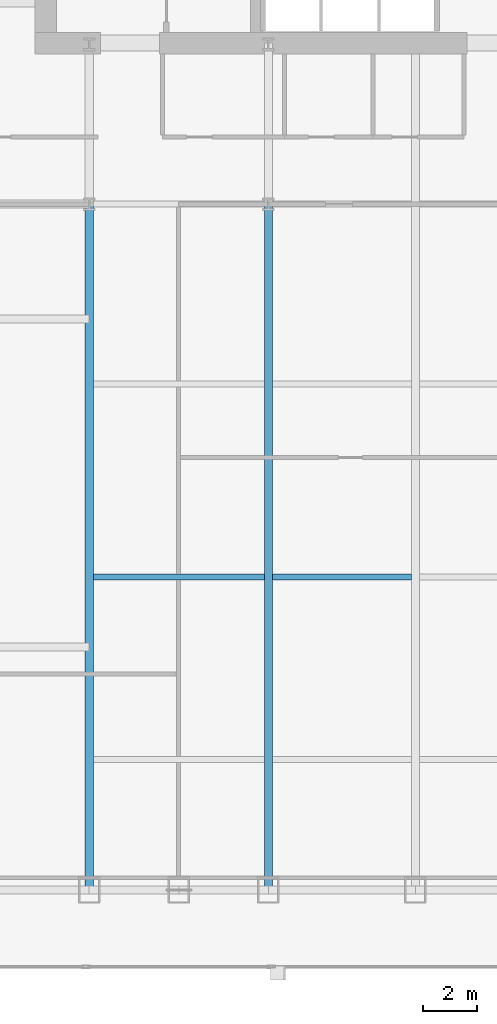
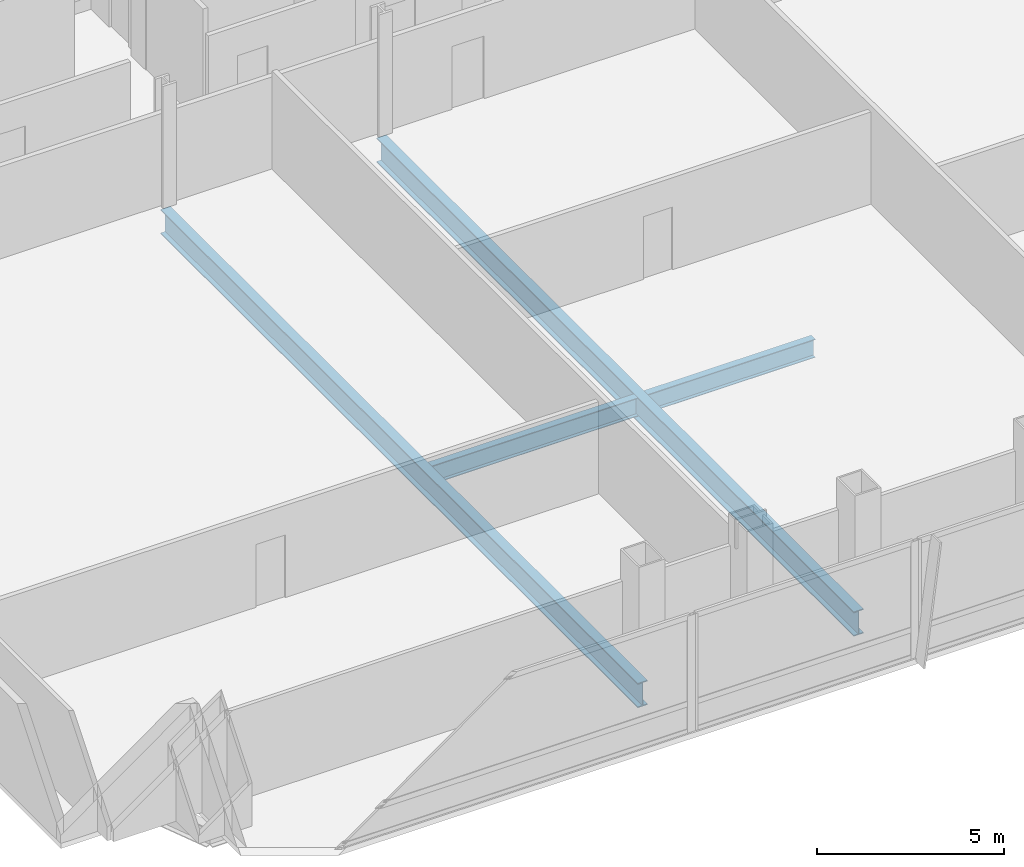
# One storey, part 9 of 36: 4 beams.
"""IFC4 building model written with IfcOpenShell, lengths in metres."""

from ifc_helpers import new_model, si_unit, direction, frame, origin, origin_2d, place, context, subcontext, project, spatial, i_section, extrude, material, material_profile, profile_set, type_object, element, save


model = new_model("IFC4")

# Units and contexts
model_context = context("Model", 3, precision=1e-05, world=origin(), true_north=direction((0.0, 1.0)))
body_context = subcontext(model_context, "Body", "Model", "MODEL_VIEW")
ifc_project = project(units=[si_unit("LENGTHUNIT", "METRE"), si_unit("AREAUNIT", "SQUARE_METRE"), si_unit("VOLUMEUNIT", "CUBIC_METRE"), si_unit("PLANEANGLEUNIT", "RADIAN"), si_unit("MASSUNIT", "GRAM", prefix="KILO")], contexts=[model_context])

# Site, building, storey
site_placement = place(None, origin())
site = spatial("IfcSite", under=ifc_project, at=site_placement, CompositionType="ELEMENT")
building_placement = place(site_placement, origin())
building = spatial("IfcBuilding", under=site, at=building_placement, Name="Khoronbel Lancet Exchange", CompositionType="ELEMENT")
storey_placement = place(building_placement, frame((0.0, 0.0, 57.800048828125)))
storey = spatial("IfcBuildingStorey", under=building, at=storey_placement, Name="L13", CompositionType="ELEMENT", Elevation=57.800048828125)

# Beams
ifc_material = material(Name="Steel S355", Category="steel")
ifc_material_profile_1 = material_profile(ifc_material, i_section(OverallWidth=0.300048828125, OverallDepth=0.800048828125, WebThickness=0.017578125, FlangeThickness=0.032958984375, at=origin_2d()), Name="HEB 800")
ifc_profile_set_1 = profile_set([ifc_material_profile_1], Name="Steel S355")
beam_type_1 = type_object("IfcBeamType", Name="BM-BG2", PredefinedType="BEAM", material=ifc_profile_set_1)
for number, where, z_axis, x_axis, name in (
    (1, (18.22509765625, 10.14990234375, -0.580078125), (0.0, 1.0, 0.0), (-1.0, 0.0, 0.0), "Level L13 south primary girder GS1"),
    (2, (24.89990234375, 10.14990234375, -0.580078125), (0.0, 1.0, 0.0), (-1.0, 0.0, 0.0), "Level L13 south primary girder GS2"),
):
    element("IfcBeam", number, at=place(storey_placement, frame(where, z_axis=z_axis, x_axis=x_axis)), inside=storey, type_object=beam_type_1, Name=name, PredefinedType="BEAM", context=body_context, shape_type="SweptSolid", body=[
        extrude(i_section(OverallWidth=0.300048828125, OverallDepth=0.800048828125, WebThickness=0.017578125, FlangeThickness=0.032958984375, at=origin_2d()), origin(), (0.0, 0.0, 1.0), 25.550048828125),
    ])
ifc_material_profile_2 = material_profile(ifc_material, i_section(OverallWidth=0.219970703125, OverallDepth=0.60009765625, WebThickness=0.011962890625, FlangeThickness=0.01904296875, at=origin_2d()), Name="IPE 600")
ifc_profile_set_2 = profile_set([ifc_material_profile_2], Name="Steel S355")
beam_type_2 = type_object("IfcBeamType", Name="BM-BJ1", PredefinedType="JOIST", material=ifc_profile_set_2)
beam_1_placement = place(storey_placement, frame((18.375, 21.800048828125, -0.47998046875), z_axis=(1.0, 0.0, 0.0), x_axis=(0.0, 1.0, 0.0)))
element("IfcBeam", 3, at=beam_1_placement, inside=storey, type_object=beam_type_2, Name="Level L13 secondary composite joist J06", PredefinedType="JOIST", context=body_context, shape_type="SweptSolid", body=[
    extrude(i_section(OverallWidth=0.219970703125, OverallDepth=0.60009765625, WebThickness=0.011962890625, FlangeThickness=0.01904296875, at=origin_2d()), origin(), (0.0, 0.0, 1.0), 6.375),
])
beam_2_placement = place(storey_placement, frame((25.050048828125, 21.800048828125, -0.47998046875), z_axis=(1.0, 0.0, 0.0), x_axis=(0.0, 1.0, 0.0)))
element("IfcBeam", 4, at=beam_2_placement, inside=storey, type_object=beam_type_2, Name="Level L13 secondary composite joist J07", PredefinedType="JOIST", context=body_context, shape_type="SweptSolid", body=[
    extrude(i_section(OverallWidth=0.219970703125, OverallDepth=0.60009765625, WebThickness=0.011962890625, FlangeThickness=0.01904296875, at=origin_2d()), origin(), (0.0, 0.0, 1.0), 5.175048828125),
])

save(model, "model.ifc")
